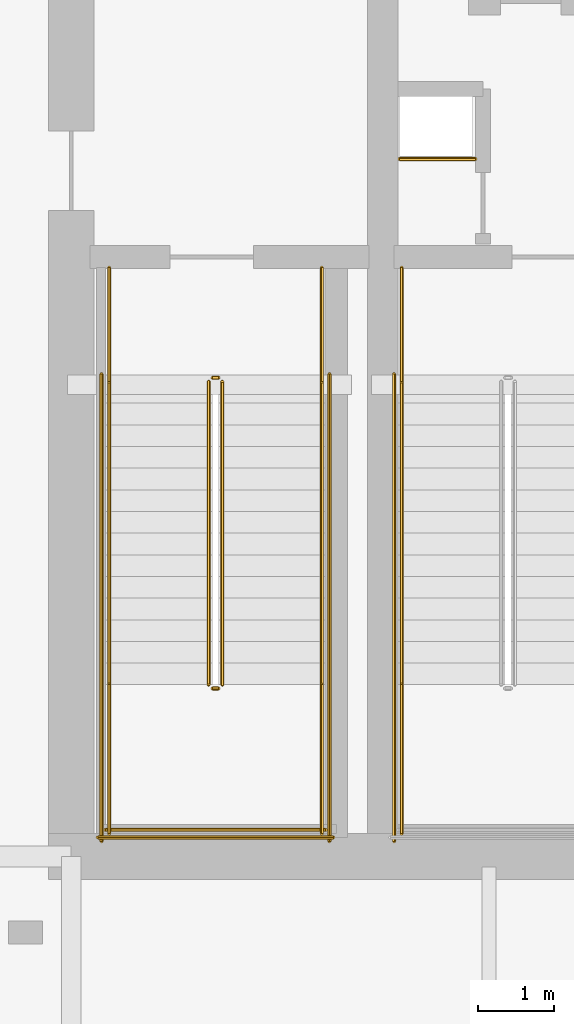
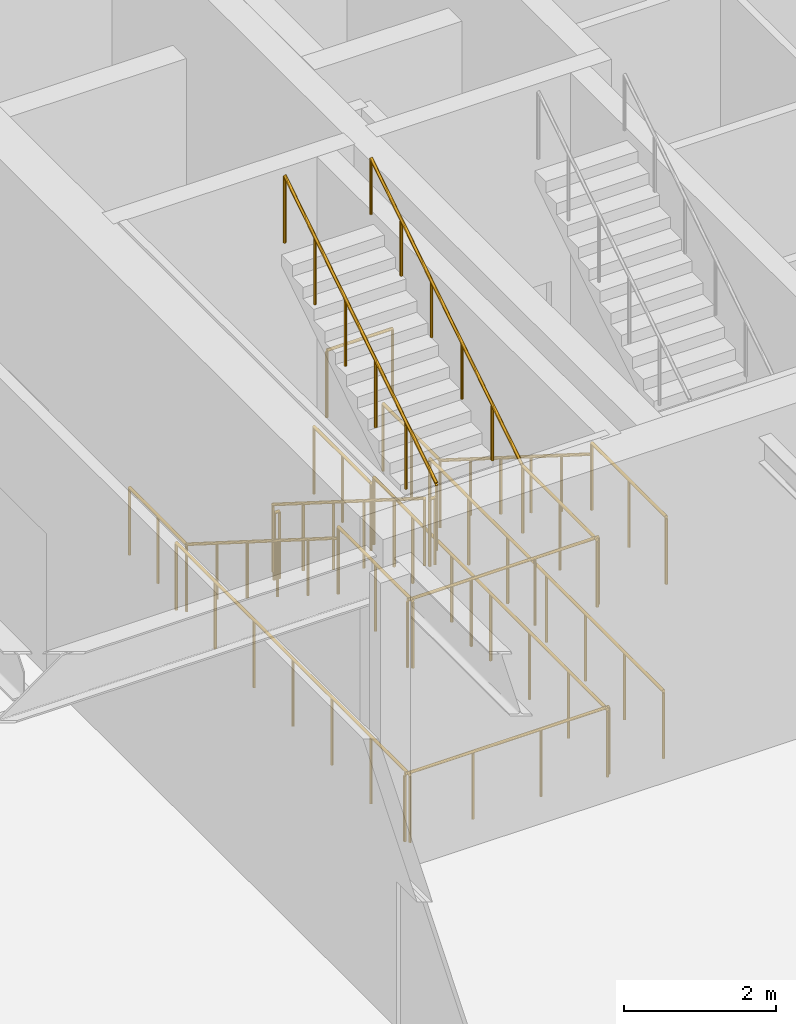
# One storey, part 11 of 16: 19 railings.
"""IFC4 building model written with IfcOpenShell, lengths in metres."""

from ifc_helpers import new_model, si_unit, direction, frame, origin, origin_2d, place, context, subcontext, project, spatial, circle, extrude, material, type_object, element, save


model = new_model("IFC4")

# Units and contexts
model_context = context("Model", 3, precision=1e-05, world=origin(), true_north=direction((0.0, 1.0)))
body_context = subcontext(model_context, "Body", "Model", "MODEL_VIEW")
ifc_project = project(units=[si_unit("LENGTHUNIT", "METRE"), si_unit("AREAUNIT", "SQUARE_METRE"), si_unit("VOLUMEUNIT", "CUBIC_METRE"), si_unit("PLANEANGLEUNIT", "RADIAN"), si_unit("MASSUNIT", "GRAM", prefix="KILO")], contexts=[model_context])

# Site, building, storey
site_placement = place(None, origin())
site = spatial("IfcSite", under=ifc_project, at=site_placement, CompositionType="ELEMENT")
building_placement = place(site_placement, origin())
building = spatial("IfcBuilding", under=site, at=building_placement, Name="Bramvorn Convention Spire", CompositionType="ELEMENT")
storey_placement = place(building_placement, frame((0.0, 0.0, 18.60009765625)))
storey = spatial("IfcBuildingStorey", under=building, at=storey_placement, Name="L03", CompositionType="ELEMENT", Elevation=18.60009765625)

# Railings
ifc_material_1 = material(Name="Painted Steel Balustrade & Guardrail", Category="steel")
railing_type_1 = type_object("IfcRailingType", Name="RL-STAIR-GUARD-1100", PredefinedType="GUARDRAIL", material=ifc_material_1)
railing_1_placement = place(storey_placement, frame((28.81005859375, 25.050048828125, 0.179931640625)))
element("IfcRailing", 1, at=railing_1_placement, inside=storey, type_object=railing_type_1, Name="L03 ST1 stair guard 1", PredefinedType="GUARDRAIL", context=body_context, shape_type="SweptSolid", body=[
    extrude(circle(Radius=0.02392578125, at=origin_2d()), frame((0.0, 0.0, 1.076171875), z_axis=(0.0, -0.845486444383, 0.533996884227), x_axis=(1.0, 0.0, 0.0)), (0.0, 0.0, 1.0), 4.71923828125),
    extrude(circle(Radius=0.02099609375, at=origin_2d()), origin(), (0.0, 0.0, 1.0), 1.052001953125),
    extrude(circle(Radius=0.02099609375, at=origin_2d()), frame((0.0, -0.798095703125, 0.50390625)), (0.0, 0.0, 1.0), 1.052001953125),
    extrude(circle(Radius=0.02099609375, at=origin_2d()), frame((0.0, -1.595947265625, 1.008056640625)), (0.0, 0.0, 1.0), 1.052001953125),
    extrude(circle(Radius=0.02099609375, at=origin_2d()), frame((0.0, -2.39404296875, 1.511962890625)), (0.0, 0.0, 1.0), 1.052001953125),
    extrude(circle(Radius=0.02099609375, at=origin_2d()), frame((0.0, -3.19189453125, 2.01611328125)), (0.0, 0.0, 1.0), 1.052001953125),
    extrude(circle(Radius=0.02099609375, at=origin_2d()), frame((0.0, -3.989990234375, 2.52001953125)), (0.0, 0.0, 1.0), 1.052001953125),
])
railing_2_placement = place(storey_placement, frame((28.860107421875, 21.010009765625, 2.699951171875)))
element("IfcRailing", 2, at=railing_2_placement, inside=storey, type_object=railing_type_1, Name="L03 ST1 stair guard 2", PredefinedType="GUARDRAIL", context=body_context, shape_type="SweptSolid", body=[
    extrude(circle(Radius=0.02392578125, at=origin_2d()), frame((0.0, 0.0, 1.076171875), z_axis=(1.0, 0.0, 0.0), x_axis=(0.0, 1.0, 0.0)), (0.0, 0.0, 1.0), 0.079833984375),
    extrude(circle(Radius=0.02099609375, at=origin_2d()), origin(), (0.0, 0.0, 1.0), 1.052001953125),
    extrude(circle(Radius=0.02099609375, at=origin_2d()), frame((0.079833984375, 0.0, 0.0)), (0.0, 0.0, 1.0), 1.052001953125),
])
for number, where, name in (
    (3, (27.5, 21.06005859375, 2.699951171875), "L03 ST1 stair guard 3"),
    (4, (30.300048828125, 21.06005859375, 2.699951171875), "L03 ST1 stair guard 4"),
):
    element("IfcRailing", number, at=place(storey_placement, frame(where)), inside=storey, type_object=railing_type_1, Name=name, PredefinedType="GUARDRAIL", context=body_context, shape_type="SweptSolid", body=[
        extrude(circle(Radius=0.02392578125, at=origin_2d()), frame((0.0, 0.0, 1.076171875), z_axis=(0.0, -1.0, 0.0), x_axis=(1.0, 0.0, 0.0)), (0.0, 0.0, 1.0), 1.9599609375),
        extrude(circle(Radius=0.02099609375, at=origin_2d()), origin(), (0.0, 0.0, 1.0), 1.052001953125),
        extrude(circle(Radius=0.02099609375, at=origin_2d()), frame((0.0, -0.97998046875, 0.0)), (0.0, 0.0, 1.0), 1.052001953125),
        extrude(circle(Radius=0.02099609375, at=origin_2d()), frame((0.0, -1.9599609375, 0.0)), (0.0, 0.0, 1.0), 1.052001953125),
    ])
railing_3_placement = place(storey_placement, frame((27.449951171875, 19.14990234375, 2.699951171875)))
element("IfcRailing", 5, at=railing_3_placement, inside=storey, type_object=railing_type_1, Name="L03 ST1 stair guard 5", PredefinedType="GUARDRAIL", context=body_context, shape_type="SweptSolid", body=[
    extrude(circle(Radius=0.02392578125, at=origin_2d()), frame((0.0, 0.0, 1.076171875), z_axis=(1.0, 0.0, 0.0), x_axis=(0.0, 1.0, 0.0)), (0.0, 0.0, 1.0), 2.900146484375),
    extrude(circle(Radius=0.02099609375, at=origin_2d()), origin(), (0.0, 0.0, 1.0), 1.052001953125),
    extrude(circle(Radius=0.02099609375, at=origin_2d()), frame((0.966796875, 0.0, 0.0)), (0.0, 0.0, 1.0), 1.052001953125),
    extrude(circle(Radius=0.02099609375, at=origin_2d()), frame((1.933349609375, 0.0, 0.0)), (0.0, 0.0, 1.0), 1.052001953125),
    extrude(circle(Radius=0.02099609375, at=origin_2d()), frame((2.900146484375, 0.0, 0.0)), (0.0, 0.0, 1.0), 1.052001953125),
])
railing_4_placement = place(storey_placement, frame((28.989990234375, 21.06005859375, 2.8798828125)))
element("IfcRailing", 6, at=railing_4_placement, inside=storey, type_object=railing_type_1, Name="L03 ST1 stair guard 6", PredefinedType="GUARDRAIL", context=body_context, shape_type="SweptSolid", body=[
    extrude(circle(Radius=0.02392578125, at=origin_2d()), frame((0.0, 0.0, 1.076171875), z_axis=(0.0, 0.845486444383, 0.533996884227), x_axis=(-1.0, 0.0, 0.0)), (0.0, 0.0, 1.0), 4.71923828125),
    extrude(circle(Radius=0.02099609375, at=origin_2d()), origin(), (0.0, 0.0, 1.0), 1.052001953125),
    extrude(circle(Radius=0.02099609375, at=origin_2d()), frame((0.0, 0.798095703125, 0.50390625)), (0.0, 0.0, 1.0), 1.052001953125),
    extrude(circle(Radius=0.02099609375, at=origin_2d()), frame((0.0, 1.595947265625, 1.008056640625)), (0.0, 0.0, 1.0), 1.052001953125),
    extrude(circle(Radius=0.02099609375, at=origin_2d()), frame((0.0, 2.39404296875, 1.511962890625)), (0.0, 0.0, 1.0), 1.052001953125),
    extrude(circle(Radius=0.02099609375, at=origin_2d()), frame((0.0, 3.19189453125, 2.01611328125)), (0.0, 0.0, 1.0), 1.052001953125),
    extrude(circle(Radius=0.02099609375, at=origin_2d()), frame((0.0, 3.989990234375, 2.52001953125)), (0.0, 0.0, 1.0), 1.052001953125),
])
railing_5_placement = place(storey_placement, frame((28.860107421875, 25.10009765625, 0.0)))
element("IfcRailing", 7, at=railing_5_placement, inside=storey, type_object=railing_type_1, Name="L03 ST1 stair guard 7", PredefinedType="GUARDRAIL", context=body_context, shape_type="SweptSolid", body=[
    extrude(circle(Radius=0.02392578125, at=origin_2d()), frame((0.0, 0.0, 1.076171875), z_axis=(1.0, 0.0, 0.0), x_axis=(0.0, 1.0, 0.0)), (0.0, 0.0, 1.0), 0.079833984375),
    extrude(circle(Radius=0.02099609375, at=origin_2d()), origin(), (0.0, 0.0, 1.0), 1.052001953125),
    extrude(circle(Radius=0.02099609375, at=origin_2d()), frame((0.079833984375, 0.0, 0.0)), (0.0, 0.0, 1.0), 1.052001953125),
])
for number, where, name in (
    (8, (27.5, 26.550048828125, 0.0), "L03 ST1 stair guard 8"),
    (9, (30.300048828125, 26.550048828125, 0.0), "L03 ST1 stair guard 9"),
):
    element("IfcRailing", number, at=place(storey_placement, frame(where)), inside=storey, type_object=railing_type_1, Name=name, PredefinedType="GUARDRAIL", context=body_context, shape_type="SweptSolid", body=[
        extrude(circle(Radius=0.02392578125, at=origin_2d()), frame((0.0, 0.0, 1.076171875), z_axis=(0.0, -1.0, 0.0), x_axis=(1.0, 0.0, 0.0)), (0.0, 0.0, 1.0), 1.5),
        extrude(circle(Radius=0.02099609375, at=origin_2d()), origin(), (0.0, 0.0, 1.0), 1.052001953125),
        extrude(circle(Radius=0.02099609375, at=origin_2d()), frame((0.0, -0.75, 0.0)), (0.0, 0.0, 1.0), 1.052001953125),
        extrude(circle(Radius=0.02099609375, at=origin_2d()), frame((0.0, -1.5, 0.0)), (0.0, 0.0, 1.0), 1.052001953125),
    ])
for number, where, name in (
    (10, (27.39990234375, 25.14990234375, 0.0), "L03 ST1 stair guard 10"),
    (11, (30.39990234375, 25.14990234375, 0.0), "L03 ST1 stair guard 11"),
):
    element("IfcRailing", number, at=place(storey_placement, frame(where)), inside=storey, type_object=railing_type_1, Name=name, PredefinedType="GUARDRAIL", context=body_context, shape_type="SweptSolid", body=[
        extrude(circle(Radius=0.02392578125, at=origin_2d()), frame((0.0, 0.0, 1.076171875), z_axis=(0.0, -1.0, 0.0), x_axis=(1.0, 0.0, 0.0)), (0.0, 0.0, 1.0), 6.14990234375),
        extrude(circle(Radius=0.02099609375, at=origin_2d()), origin(), (0.0, 0.0, 1.0), 1.052001953125),
        extrude(circle(Radius=0.02099609375, at=origin_2d()), frame((0.0, -1.02490234375, 0.0)), (0.0, 0.0, 1.0), 1.052001953125),
        extrude(circle(Radius=0.02099609375, at=origin_2d()), frame((0.0, -2.050048828125, 0.0)), (0.0, 0.0, 1.0), 1.052001953125),
        extrude(circle(Radius=0.02099609375, at=origin_2d()), frame((0.0, -3.074951171875, 0.0)), (0.0, 0.0, 1.0), 1.052001953125),
        extrude(circle(Radius=0.02099609375, at=origin_2d()), frame((0.0, -4.099853515625, 0.0)), (0.0, 0.0, 1.0), 1.052001953125),
        extrude(circle(Radius=0.02099609375, at=origin_2d()), frame((0.0, -5.125, 0.0)), (0.0, 0.0, 1.0), 1.052001953125),
        extrude(circle(Radius=0.02099609375, at=origin_2d()), frame((0.0, -6.14990234375, 0.0)), (0.0, 0.0, 1.0), 1.052001953125),
    ])
railing_6_placement = place(storey_placement, frame((27.35009765625, 19.050048828125, 0.0)))
element("IfcRailing", 12, at=railing_6_placement, inside=storey, type_object=railing_type_1, Name="L03 ST1 stair guard 12", PredefinedType="GUARDRAIL", context=body_context, shape_type="SweptSolid", body=[
    extrude(circle(Radius=0.02392578125, at=origin_2d()), frame((0.0, 0.0, 1.076171875), z_axis=(1.0, 0.0, 0.0), x_axis=(0.0, 1.0, 0.0)), (0.0, 0.0, 1.0), 3.099853515625),
    extrude(circle(Radius=0.02099609375, at=origin_2d()), origin(), (0.0, 0.0, 1.0), 1.052001953125),
    extrude(circle(Radius=0.02099609375, at=origin_2d()), frame((1.033203125, 0.0, 0.0)), (0.0, 0.0, 1.0), 1.052001953125),
    extrude(circle(Radius=0.02099609375, at=origin_2d()), frame((2.066650390625, 0.0, 0.0)), (0.0, 0.0, 1.0), 1.052001953125),
    extrude(circle(Radius=0.02099609375, at=origin_2d()), frame((3.099853515625, 0.0, 0.0)), (0.0, 0.0, 1.0), 1.052001953125),
])
railing_7_placement = place(storey_placement, frame((31.35009765625, 21.06005859375, 2.699951171875)))
element("IfcRailing", 13, at=railing_7_placement, inside=storey, type_object=railing_type_1, Name="L03 ST3 stair guard 3", PredefinedType="GUARDRAIL", context=body_context, shape_type="SweptSolid", body=[
    extrude(circle(Radius=0.02392578125, at=origin_2d()), frame((0.0, 0.0, 1.076171875), z_axis=(0.0, -1.0, 0.0), x_axis=(1.0, 0.0, 0.0)), (0.0, 0.0, 1.0), 1.9599609375),
    extrude(circle(Radius=0.02099609375, at=origin_2d()), origin(), (0.0, 0.0, 1.0), 1.052001953125),
    extrude(circle(Radius=0.02099609375, at=origin_2d()), frame((0.0, -0.97998046875, 0.0)), (0.0, 0.0, 1.0), 1.052001953125),
    extrude(circle(Radius=0.02099609375, at=origin_2d()), frame((0.0, -1.9599609375, 0.0)), (0.0, 0.0, 1.0), 1.052001953125),
])
railing_8_placement = place(storey_placement, frame((31.35009765625, 26.550048828125, 0.0)))
element("IfcRailing", 14, at=railing_8_placement, inside=storey, type_object=railing_type_1, Name="L03 ST3 stair guard 8", PredefinedType="GUARDRAIL", context=body_context, shape_type="SweptSolid", body=[
    extrude(circle(Radius=0.02392578125, at=origin_2d()), frame((0.0, 0.0, 1.076171875), z_axis=(0.0, -1.0, 0.0), x_axis=(1.0, 0.0, 0.0)), (0.0, 0.0, 1.0), 1.5),
    extrude(circle(Radius=0.02099609375, at=origin_2d()), origin(), (0.0, 0.0, 1.0), 1.052001953125),
    extrude(circle(Radius=0.02099609375, at=origin_2d()), frame((0.0, -0.75, 0.0)), (0.0, 0.0, 1.0), 1.052001953125),
    extrude(circle(Radius=0.02099609375, at=origin_2d()), frame((0.0, -1.5, 0.0)), (0.0, 0.0, 1.0), 1.052001953125),
])
railing_9_placement = place(storey_placement, frame((31.25, 25.14990234375, 0.0)))
element("IfcRailing", 15, at=railing_9_placement, inside=storey, type_object=railing_type_1, Name="L03 ST3 stair guard 10", PredefinedType="GUARDRAIL", context=body_context, shape_type="SweptSolid", body=[
    extrude(circle(Radius=0.02392578125, at=origin_2d()), frame((0.0, 0.0, 1.076171875), z_axis=(0.0, -1.0, 0.0), x_axis=(1.0, 0.0, 0.0)), (0.0, 0.0, 1.0), 6.14990234375),
    extrude(circle(Radius=0.02099609375, at=origin_2d()), origin(), (0.0, 0.0, 1.0), 1.052001953125),
    extrude(circle(Radius=0.02099609375, at=origin_2d()), frame((0.0, -1.02490234375, 0.0)), (0.0, 0.0, 1.0), 1.052001953125),
    extrude(circle(Radius=0.02099609375, at=origin_2d()), frame((0.0, -2.050048828125, 0.0)), (0.0, 0.0, 1.0), 1.052001953125),
    extrude(circle(Radius=0.02099609375, at=origin_2d()), frame((0.0, -3.074951171875, 0.0)), (0.0, 0.0, 1.0), 1.052001953125),
    extrude(circle(Radius=0.02099609375, at=origin_2d()), frame((0.0, -4.099853515625, 0.0)), (0.0, 0.0, 1.0), 1.052001953125),
    extrude(circle(Radius=0.02099609375, at=origin_2d()), frame((0.0, -5.125, 0.0)), (0.0, 0.0, 1.0), 1.052001953125),
    extrude(circle(Radius=0.02099609375, at=origin_2d()), frame((0.0, -6.14990234375, 0.0)), (0.0, 0.0, 1.0), 1.052001953125),
])
railing_10_placement = place(storey_placement, frame((31.320068359375, 27.97998046875, 0.0)))
element("IfcRailing", 16, at=railing_10_placement, inside=storey, type_object=railing_type_1, Name="L03 Telecom riser shaft opening safety guardrail", PredefinedType="GUARDRAIL", context=body_context, shape_type="SweptSolid", body=[
    extrude(circle(Radius=0.02392578125, at=origin_2d()), frame((0.0, 0.0, 1.076171875), z_axis=(1.0, 0.0, 0.0), x_axis=(0.0, 1.0, 0.0)), (0.0, 0.0, 1.0), 1.0),
    extrude(circle(Radius=0.02099609375, at=origin_2d()), origin(), (0.0, 0.0, 1.0), 1.052001953125),
    extrude(circle(Radius=0.02099609375, at=origin_2d()), frame((1.0, 0.0, 0.0)), (0.0, 0.0, 1.0), 1.052001953125),
])
ifc_material_2 = material(Name="Brushed Bronze Tubular Handrail", Category="aluminium")
railing_type_2 = type_object("IfcRailingType", Name="RL-STAIR-HR-920", PredefinedType="HANDRAIL", material=ifc_material_2)
railing_11_placement = place(storey_placement, frame((27.5, 25.050048828125, 0.179931640625)))
element("IfcRailing", 17, at=railing_11_placement, inside=storey, type_object=railing_type_2, Name="L03 ST1 stair handrail 1", PredefinedType="HANDRAIL", context=body_context, shape_type="SweptSolid", body=[
    extrude(circle(Radius=0.02392578125, at=origin_2d()), frame((0.0, 0.0, 0.89599609375), z_axis=(0.0, -0.845486444383, 0.533996884227), x_axis=(1.0, 0.0, 0.0)), (0.0, 0.0, 1.0), 4.71923828125),
    extrude(circle(Radius=0.02099609375, at=origin_2d()), origin(), (0.0, 0.0, 1.0), 0.871826171875),
    extrude(circle(Radius=0.02099609375, at=origin_2d()), frame((0.0, -0.798095703125, 0.50390625)), (0.0, 0.0, 1.0), 0.871826171875),
    extrude(circle(Radius=0.02099609375, at=origin_2d()), frame((0.0, -1.595947265625, 1.008056640625)), (0.0, 0.0, 1.0), 0.871826171875),
    extrude(circle(Radius=0.02099609375, at=origin_2d()), frame((0.0, -2.39404296875, 1.511962890625)), (0.0, 0.0, 1.0), 0.871826171875),
    extrude(circle(Radius=0.02099609375, at=origin_2d()), frame((0.0, -3.19189453125, 2.01611328125)), (0.0, 0.0, 1.0), 0.871826171875),
    extrude(circle(Radius=0.02099609375, at=origin_2d()), frame((0.0, -3.989990234375, 2.52001953125)), (0.0, 0.0, 1.0), 0.871826171875),
])
railing_12_placement = place(storey_placement, frame((30.300048828125, 21.06005859375, 2.8798828125)))
element("IfcRailing", 18, at=railing_12_placement, inside=storey, type_object=railing_type_2, Name="L03 ST1 stair handrail 2", PredefinedType="HANDRAIL", context=body_context, shape_type="SweptSolid", body=[
    extrude(circle(Radius=0.02392578125, at=origin_2d()), frame((0.0, 0.0, 0.89599609375), z_axis=(0.0, 0.845486444383, 0.533996884227), x_axis=(-1.0, 0.0, 0.0)), (0.0, 0.0, 1.0), 4.71923828125),
    extrude(circle(Radius=0.02099609375, at=origin_2d()), origin(), (0.0, 0.0, 1.0), 0.871826171875),
    extrude(circle(Radius=0.02099609375, at=origin_2d()), frame((0.0, 0.798095703125, 0.50390625)), (0.0, 0.0, 1.0), 0.871826171875),
    extrude(circle(Radius=0.02099609375, at=origin_2d()), frame((0.0, 1.595947265625, 1.008056640625)), (0.0, 0.0, 1.0), 0.871826171875),
    extrude(circle(Radius=0.02099609375, at=origin_2d()), frame((0.0, 2.39404296875, 1.511962890625)), (0.0, 0.0, 1.0), 0.871826171875),
    extrude(circle(Radius=0.02099609375, at=origin_2d()), frame((0.0, 3.19189453125, 2.01611328125)), (0.0, 0.0, 1.0), 0.871826171875),
    extrude(circle(Radius=0.02099609375, at=origin_2d()), frame((0.0, 3.989990234375, 2.52001953125)), (0.0, 0.0, 1.0), 0.871826171875),
])
railing_13_placement = place(storey_placement, frame((31.35009765625, 25.050048828125, 0.179931640625)))
element("IfcRailing", 19, at=railing_13_placement, inside=storey, type_object=railing_type_2, Name="L03 ST3 stair handrail 1", PredefinedType="HANDRAIL", context=body_context, shape_type="SweptSolid", body=[
    extrude(circle(Radius=0.02392578125, at=origin_2d()), frame((0.0, 0.0, 0.89599609375), z_axis=(0.0, -0.845486444383, 0.533996884227), x_axis=(1.0, 0.0, 0.0)), (0.0, 0.0, 1.0), 4.71923828125),
    extrude(circle(Radius=0.02099609375, at=origin_2d()), origin(), (0.0, 0.0, 1.0), 0.871826171875),
    extrude(circle(Radius=0.02099609375, at=origin_2d()), frame((0.0, -0.798095703125, 0.50390625)), (0.0, 0.0, 1.0), 0.871826171875),
    extrude(circle(Radius=0.02099609375, at=origin_2d()), frame((0.0, -1.595947265625, 1.008056640625)), (0.0, 0.0, 1.0), 0.871826171875),
    extrude(circle(Radius=0.02099609375, at=origin_2d()), frame((0.0, -2.39404296875, 1.511962890625)), (0.0, 0.0, 1.0), 0.871826171875),
    extrude(circle(Radius=0.02099609375, at=origin_2d()), frame((0.0, -3.19189453125, 2.01611328125)), (0.0, 0.0, 1.0), 0.871826171875),
    extrude(circle(Radius=0.02099609375, at=origin_2d()), frame((0.0, -3.989990234375, 2.52001953125)), (0.0, 0.0, 1.0), 0.871826171875),
])

save(model, "model.ifc")
